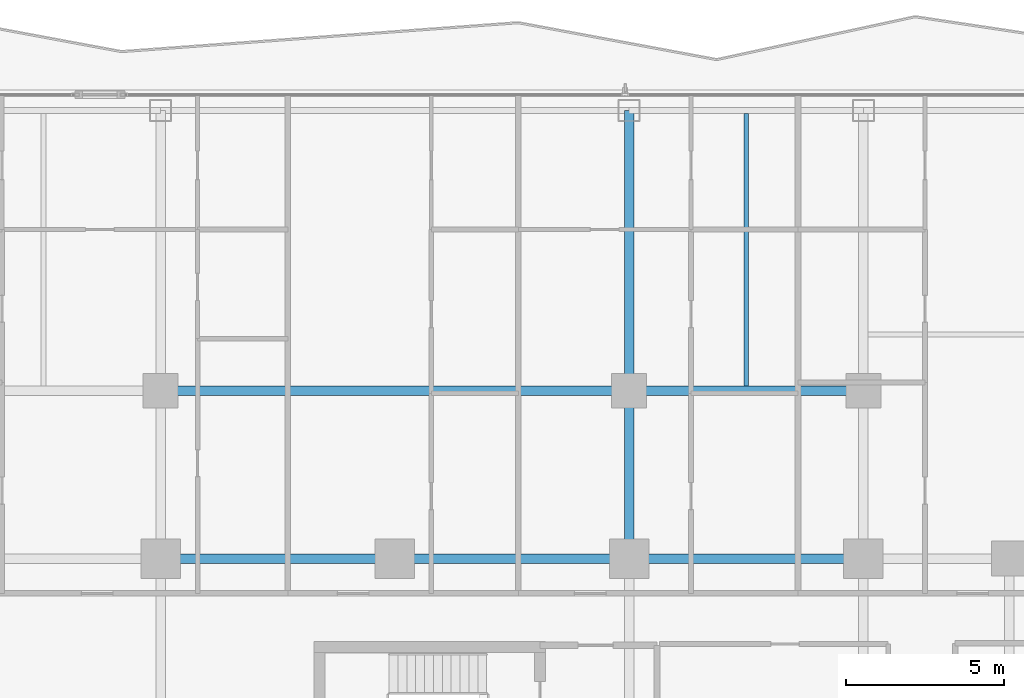
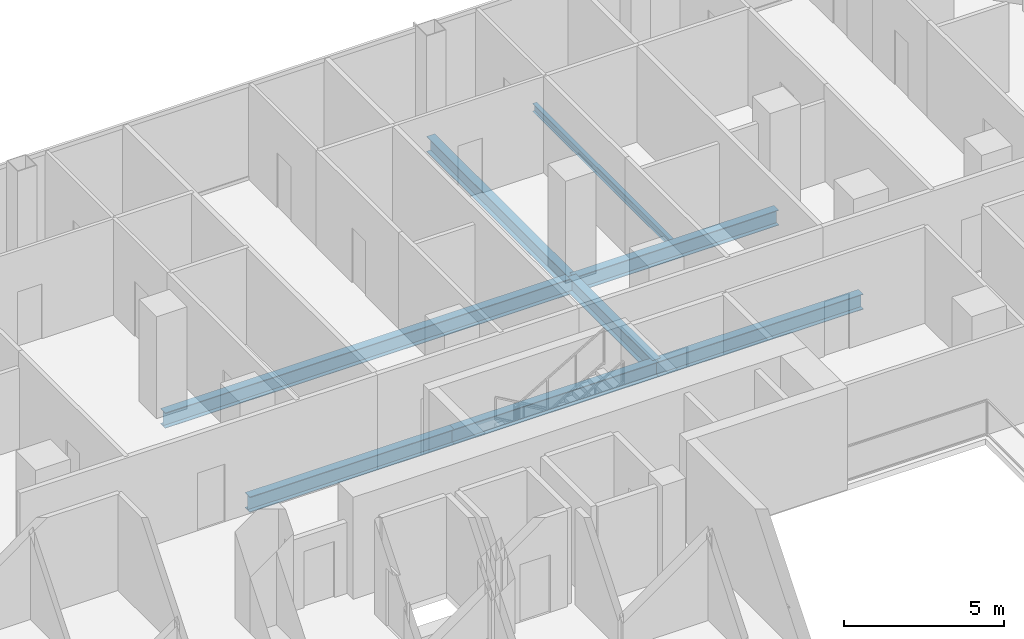
# One storey, part 12 of 30: 8 beams.
"""IFC4 building model written with IfcOpenShell, lengths in metres."""

from ifc_helpers import new_model, si_unit, direction, frame, origin, origin_2d, place, context, subcontext, project, spatial, i_section, extrude, material, material_profile, profile_set, type_object, element, save


model = new_model("IFC4")

# Units and contexts
model_context = context("Model", 3, precision=1e-05, world=origin(), true_north=direction((0.0, 1.0)))
body_context = subcontext(model_context, "Body", "Model", "MODEL_VIEW")
ifc_project = project(units=[si_unit("LENGTHUNIT", "METRE"), si_unit("AREAUNIT", "SQUARE_METRE"), si_unit("VOLUMEUNIT", "CUBIC_METRE"), si_unit("PLANEANGLEUNIT", "RADIAN"), si_unit("MASSUNIT", "GRAM", prefix="KILO")], contexts=[model_context])

# Site, building, storey
site_placement = place(None, origin())
site = spatial("IfcSite", under=ifc_project, at=site_placement, CompositionType="ELEMENT")
building_placement = place(site_placement, origin())
building = spatial("IfcBuilding", under=site, at=building_placement, Name="Khorvyn Point Tower", CompositionType="ELEMENT")
storey_placement = place(building_placement, frame((0.0, 0.0, 117.300048828125)))
storey = spatial("IfcBuildingStorey", under=building, at=storey_placement, Name="L29", CompositionType="ELEMENT", Elevation=117.300048828125)

# Beams
ifc_material = material(Name="Steel S355", Category="steel")
ifc_material_profile_1 = material_profile(ifc_material, i_section(OverallWidth=0.300048828125, OverallDepth=0.587890625, WebThickness=0.011962890625, FlangeThickness=0.02001953125, at=origin_2d()))
ifc_profile_set_1 = profile_set([ifc_material_profile_1], Name="Steel S355 H588x300x12x20")
beam_type_1 = type_object("IfcBeamType", Name="Steel S355 Beam H588x300x12x20", PredefinedType="BEAM", material=ifc_profile_set_1)
for number, where, z_axis, x_axis, name in (
    (1, (-7.39990234375, 14.800048828125, -0.51416015625), (1.0, 0.0, 0.0), (0.0, 1.0, 0.0), "Beam"),
    (2, (0.0, 14.800048828125, -0.51416015625), (1.0, 0.0, 0.0), (0.0, 1.0, 0.0), "Beam"),
):
    element("IfcBeam", number, at=place(storey_placement, frame(where, z_axis=z_axis, x_axis=x_axis)), inside=storey, type_object=beam_type_1, Name=name, PredefinedType="BEAM", context=body_context, shape_type="SweptSolid", body=[
        extrude(i_section(OverallWidth=0.300048828125, OverallDepth=0.587890625, WebThickness=0.011962890625, FlangeThickness=0.02001953125, at=origin_2d()), origin(), (0.0, 0.0, 1.0), 7.39990234375),
    ])
beam_1_placement = place(storey_placement, frame((7.39990234375, 14.800048828125, -0.51416015625), z_axis=(1.0, 0.0, 0.0), x_axis=(0.0, 1.0, 0.0)))
element("IfcBeam", 3, at=beam_1_placement, inside=storey, type_object=beam_type_1, Name="Beam", PredefinedType="BEAM", context=body_context, shape_type="SweptSolid", body=[
    extrude(i_section(OverallWidth=0.300048828125, OverallDepth=0.587890625, WebThickness=0.011962890625, FlangeThickness=0.02001953125, at=origin_2d()), origin(), (0.0, 0.0, 1.0), 7.400146484375),
])
beam_2_placement = place(storey_placement, frame((-7.39990234375, 20.10009765625, -0.51416015625), z_axis=(1.0, 0.0, 0.0), x_axis=(0.0, 1.0, 0.0)))
element("IfcBeam", 4, at=beam_2_placement, inside=storey, type_object=beam_type_1, Name="Beam", PredefinedType="BEAM", context=body_context, shape_type="SweptSolid", body=[
    extrude(i_section(OverallWidth=0.300048828125, OverallDepth=0.587890625, WebThickness=0.011962890625, FlangeThickness=0.02001953125, at=origin_2d()), origin(), (0.0, 0.0, 1.0), 14.7998046875),
])
beam_3_placement = place(storey_placement, frame((7.39990234375, 20.10009765625, -0.51416015625), z_axis=(1.0, 0.0, 0.0), x_axis=(0.0, 1.0, 0.0)))
element("IfcBeam", 5, at=beam_3_placement, inside=storey, type_object=beam_type_1, Name="Beam", PredefinedType="BEAM", context=body_context, shape_type="SweptSolid", body=[
    extrude(i_section(OverallWidth=0.300048828125, OverallDepth=0.587890625, WebThickness=0.011962890625, FlangeThickness=0.02001953125, at=origin_2d()), origin(), (0.0, 0.0, 1.0), 7.400146484375),
])
beam_4_placement = place(storey_placement, frame((7.39990234375, 14.800048828125, -0.51416015625), z_axis=(0.0, 1.0, 0.0), x_axis=(-1.0, 0.0, 0.0)))
element("IfcBeam", 6, at=beam_4_placement, inside=storey, type_object=beam_type_1, Name="Beam", PredefinedType="BEAM", context=body_context, shape_type="SweptSolid", body=[
    extrude(i_section(OverallWidth=0.300048828125, OverallDepth=0.587890625, WebThickness=0.011962890625, FlangeThickness=0.02001953125, at=origin_2d()), origin(), (0.0, 0.0, 1.0), 5.300048828125),
])
beam_5_placement = place(storey_placement, frame((7.39990234375, 20.10009765625, -0.51416015625), z_axis=(0.0, 1.0, 0.0), x_axis=(-1.0, 0.0, 0.0)))
element("IfcBeam", 7, at=beam_5_placement, inside=storey, type_object=beam_type_1, Name="Beam", PredefinedType="BEAM", context=body_context, shape_type="SweptSolid", body=[
    extrude(i_section(OverallWidth=0.300048828125, OverallDepth=0.587890625, WebThickness=0.011962890625, FlangeThickness=0.02001953125, at=origin_2d()), origin(), (0.0, 0.0, 1.0), 8.849853515625),
])
ifc_material_profile_2 = material_profile(ifc_material, i_section(OverallWidth=0.14990234375, OverallDepth=0.300048828125, WebThickness=0.006591796875, FlangeThickness=0.009033203125, at=origin_2d()))
ifc_profile_set_2 = profile_set([ifc_material_profile_2], Name="Steel S355 H300x150x6.5x9")
beam_type_2 = type_object("IfcBeamType", Name="Steel S355 Joist H300x150x6.5x9", PredefinedType="JOIST", material=ifc_profile_set_2)
beam_6_placement = place(storey_placement, frame((11.10009765625, 20.25, -0.3701171875), z_axis=(0.0, 1.0, 0.0), x_axis=(-1.0, 0.0, 0.0)))
element("IfcBeam", 8, at=beam_6_placement, inside=storey, type_object=beam_type_2, Name="Beam", PredefinedType="JOIST", context=body_context, shape_type="SweptSolid", body=[
    extrude(i_section(OverallWidth=0.14990234375, OverallDepth=0.300048828125, WebThickness=0.006591796875, FlangeThickness=0.009033203125, at=origin_2d()), origin(), (0.0, 0.0, 1.0), 8.60009765625),
])

save(model, "model.ifc")
